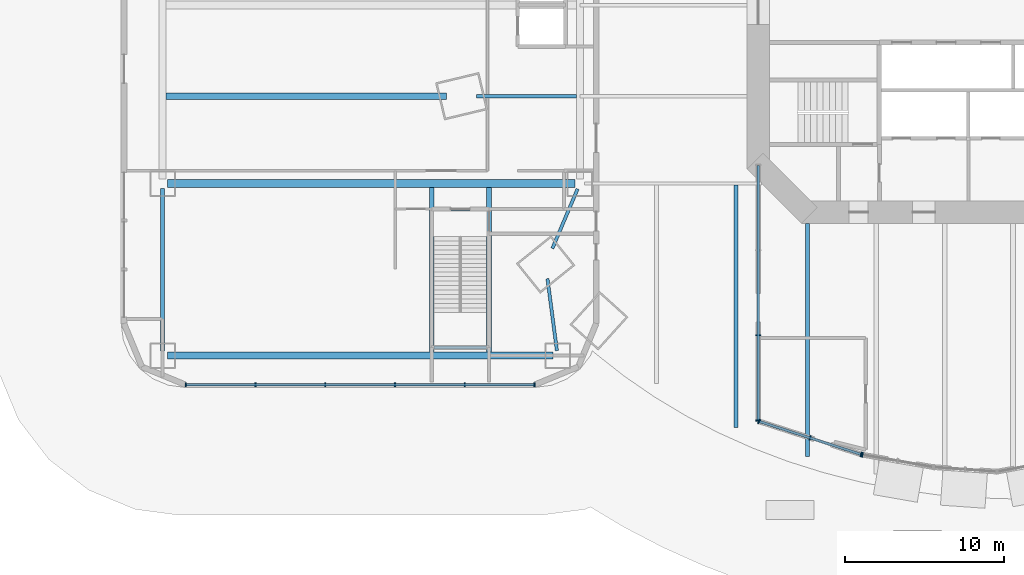
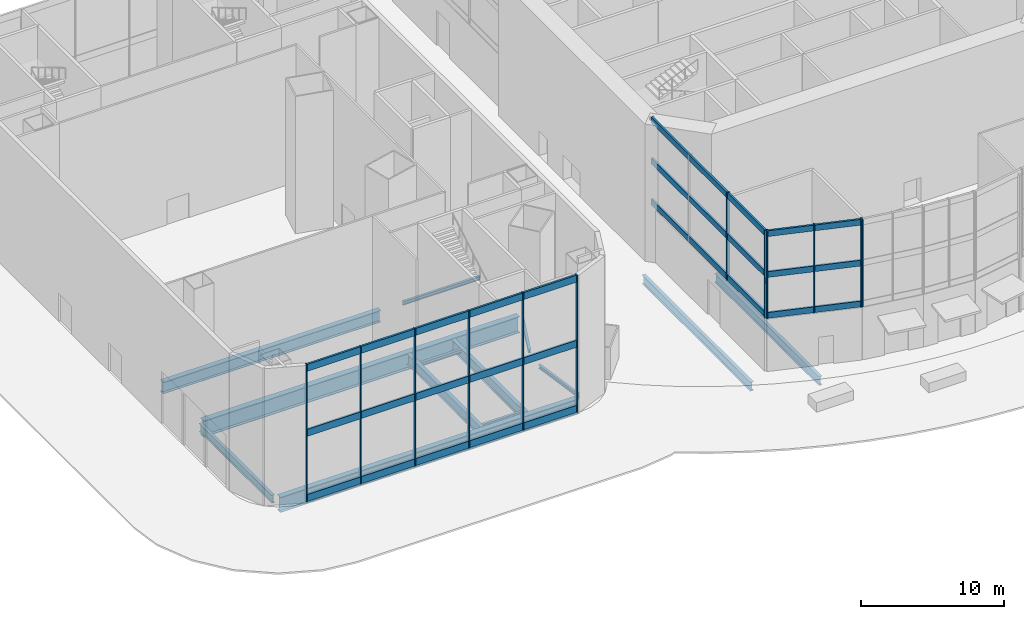
# One storey, part 2 of 23: 21 members, 13 beams, 4 elements without a shape of their own.
"""IFC4 building model written with IfcOpenShell, lengths in metres."""

from ifc_helpers import new_model, si_unit, direction, frame, origin, origin_2d, place, context, subcontext, project, spatial, rectangle, i_section, extrude, material, material_profile, profile_set, type_object, element, aggregate, save


model = new_model("IFC4")

# Units and contexts
model_context = context("Model", 3, precision=1e-05, world=origin(), true_north=direction((0.0, 1.0)))
body_context = subcontext(model_context, "Body", "Model", "MODEL_VIEW")
ifc_project = project(units=[si_unit("LENGTHUNIT", "METRE"), si_unit("AREAUNIT", "SQUARE_METRE"), si_unit("VOLUMEUNIT", "CUBIC_METRE"), si_unit("PLANEANGLEUNIT", "RADIAN"), si_unit("MASSUNIT", "GRAM", prefix="KILO")], contexts=[model_context])

# Site, building, storey
site_placement = place(None, origin())
site = spatial("IfcSite", under=ifc_project, at=site_placement, CompositionType="ELEMENT")
building_placement = place(site_placement, origin())
building = spatial("IfcBuilding", under=site, at=building_placement, Name="Marenthal Gate Tower", CompositionType="ELEMENT")
storey_placement = place(building_placement, origin())
storey = spatial("IfcBuildingStorey", under=building, at=storey_placement, Name="L00", CompositionType="ELEMENT", Elevation=0.0)

# Curtain wall, members
ifc_material_1 = material(Name="Aluminium and glass", Category="aluminium")
curtain_wall_type_1 = type_object("IfcCurtainWallType", Name="Curtain wall podium impact", PredefinedType="NOTDEFINED", material=ifc_material_1)
curtain_wall_1_placement = place(storey_placement, origin())
curtain_wall_1 = element("IfcCurtainWall", 1, at=curtain_wall_1_placement, inside=storey, type_object=curtain_wall_type_1, Name="Curtain wall L00 W12", PredefinedType="NOTDEFINED")
ifc_material_2 = material(Name="Aluminium", Category="aluminium")
ifc_material_profile_1 = material_profile(ifc_material_2, rectangle(XDim=0.25, YDim=0.080078125, at=origin_2d()), Name="80x250 aluminium mullion")
ifc_profile_set_1 = profile_set([ifc_material_profile_1], Name="Aluminium")
member_type_1 = type_object("IfcMemberType", Name="Mullion 80x250 podium impact", PredefinedType="MULLION", material=ifc_profile_set_1)
member_1_placement = place(storey_placement, frame((-51.948486328125, -23.824951171875, 0.0), z_axis=(0.0, 0.0, 1.0), x_axis=(0.0, 1.0, 0.0)))
member_1 = element("IfcMember", 2, at=member_1_placement, type_object=member_type_1, Name="Mullion L00 W12.1", PredefinedType="MULLION", context=body_context, shape_type="SweptSolid", body=[
    extrude(rectangle(XDim=0.25, YDim=0.080078125, at=origin_2d()), origin(), (0.0, 0.0, 1.0), 11.75),
])
member_2_placement = place(storey_placement, frame((-47.569091796875, -23.824951171875, 0.0), z_axis=(0.0, 0.0, 1.0), x_axis=(0.0, 1.0, 0.0)))
member_2 = element("IfcMember", 3, at=member_2_placement, type_object=member_type_1, Name="Mullion L00 W12.2", PredefinedType="MULLION", context=body_context, shape_type="SweptSolid", body=[
    extrude(rectangle(XDim=0.25, YDim=0.080078125, at=origin_2d()), origin(), (0.0, 0.0, 1.0), 11.75),
])
member_3_placement = place(storey_placement, frame((-43.189697265625, -23.824951171875, 0.0), z_axis=(0.0, 0.0, 1.0), x_axis=(0.0, 1.0, 0.0)))
member_3 = element("IfcMember", 4, at=member_3_placement, type_object=member_type_1, Name="Mullion L00 W12.3", PredefinedType="MULLION", context=body_context, shape_type="SweptSolid", body=[
    extrude(rectangle(XDim=0.25, YDim=0.080078125, at=origin_2d()), origin(), (0.0, 0.0, 1.0), 11.75),
])
member_4_placement = place(storey_placement, frame((-38.810302734375, -23.824951171875, 0.0), z_axis=(0.0, 0.0, 1.0), x_axis=(0.0, 1.0, 0.0)))
member_4 = element("IfcMember", 5, at=member_4_placement, type_object=member_type_1, Name="Mullion L00 W12.4", PredefinedType="MULLION", context=body_context, shape_type="SweptSolid", body=[
    extrude(rectangle(XDim=0.25, YDim=0.080078125, at=origin_2d()), origin(), (0.0, 0.0, 1.0), 11.75),
])
member_5_placement = place(storey_placement, frame((-34.430908203125, -23.824951171875, 0.0), z_axis=(0.0, 0.0, 1.0), x_axis=(0.0, 1.0, 0.0)))
member_5 = element("IfcMember", 6, at=member_5_placement, type_object=member_type_1, Name="Mullion L00 W12.5", PredefinedType="MULLION", context=body_context, shape_type="SweptSolid", body=[
    extrude(rectangle(XDim=0.25, YDim=0.080078125, at=origin_2d()), origin(), (0.0, 0.0, 1.0), 11.75),
])
member_6_placement = place(storey_placement, frame((-30.051513671875, -23.824951171875, 0.0), z_axis=(0.0, 0.0, 1.0), x_axis=(0.0, 1.0, 0.0)))
member_6 = element("IfcMember", 7, at=member_6_placement, type_object=member_type_1, Name="Mullion L00 W12.6", PredefinedType="MULLION", context=body_context, shape_type="SweptSolid", body=[
    extrude(rectangle(XDim=0.25, YDim=0.080078125, at=origin_2d()), origin(), (0.0, 0.0, 1.0), 11.75),
])

ifc_material_3 = material(Name="Aluminium and glass", Category="aluminium")
curtain_wall_type_2 = type_object("IfcCurtainWallType", Name="Curtain wall arch infill", PredefinedType="NOTDEFINED", material=ifc_material_3)
curtain_wall_2_placement = place(storey_placement, origin())
curtain_wall_2 = element("IfcCurtainWall", 8, at=curtain_wall_2_placement, inside=storey, type_object=curtain_wall_type_2, Name="Curtain wall L00 arch S1", PredefinedType="NOTDEFINED")
ifc_material_4 = material(Name="Aluminium", Category="aluminium")
ifc_material_profile_2 = material_profile(ifc_material_4, rectangle(XDim=0.300048828125, YDim=0.080078125, at=origin_2d()), Name="80x300 aluminium mullion")
ifc_profile_set_2 = profile_set([ifc_material_profile_2], Name="Aluminium")
member_type_2 = type_object("IfcMemberType", Name="Mullion 80x300 arch infill", PredefinedType="MULLION", material=ifc_profile_set_2)
member_7_placement = place(storey_placement, frame((-15.9619140625, -26.129638671875, 4.5), z_axis=(0.0, 0.0, 1.0), x_axis=(0.307641410292, 0.951502371344, 0.0)))
member_7 = element("IfcMember", 9, at=member_7_placement, type_object=member_type_2, Name="Mullion L00 arch S1.1", PredefinedType="MULLION", context=body_context, shape_type="SweptSolid", body=[
    extrude(rectangle(XDim=0.300048828125, YDim=0.080078125, at=origin_2d()), origin(), (0.0, 0.0, 1.0), 7.5),
])
member_8_placement = place(storey_placement, frame((-12.75, -27.168212890625, 4.5), z_axis=(0.0, 0.0, 1.0), x_axis=(0.307641410292, 0.951502371344, 0.0)))
member_8 = element("IfcMember", 10, at=member_8_placement, type_object=member_type_2, Name="Mullion L00 arch S1.2", PredefinedType="MULLION", context=body_context, shape_type="SweptSolid", body=[
    extrude(rectangle(XDim=0.300048828125, YDim=0.080078125, at=origin_2d()), origin(), (0.0, 0.0, 1.0), 7.5),
])
member_9_placement = place(storey_placement, frame((-9.5380859375, -28.206787109375, 4.5), z_axis=(0.0, 0.0, 1.0), x_axis=(0.307641410292, 0.951502371344, 0.0)))
member_9 = element("IfcMember", 11, at=member_9_placement, type_object=member_type_2, Name="Mullion L00 arch S1.3", PredefinedType="MULLION", context=body_context, shape_type="SweptSolid", body=[
    extrude(rectangle(XDim=0.300048828125, YDim=0.080078125, at=origin_2d()), origin(), (0.0, 0.0, 1.0), 7.5),
])

# Curtain wall, member
curtain_wall_3_placement = place(storey_placement, origin())
curtain_wall_3 = element("IfcCurtainWall", 12, at=curtain_wall_3_placement, inside=storey, type_object=curtain_wall_type_2, Name="Curtain wall L00 arch S2", PredefinedType="NOTDEFINED")
member_10_placement = place(storey_placement, frame((-9.460693359375, -28.225830078125, 4.5), z_axis=(0.0, 0.0, 1.0), x_axis=(0.171972780668, 0.985101701709, 0.0)))
member_10 = element("IfcMember", 13, at=member_10_placement, type_object=member_type_2, Name="Mullion L00 arch S2.1", PredefinedType="MULLION", context=body_context, shape_type="SweptSolid", body=[
    extrude(rectangle(XDim=0.300048828125, YDim=0.080078125, at=origin_2d()), origin(), (0.0, 0.0, 1.0), 7.5),
])
aggregate(curtain_wall_3, [member_10])

# Curtain wall, members
curtain_wall_4_placement = place(storey_placement, origin())
curtain_wall_4 = element("IfcCurtainWall", 14, at=curtain_wall_4_placement, inside=storey, type_object=curtain_wall_type_2, Name="Curtain wall L00 hall SW1", PredefinedType="NOTDEFINED")
member_11_placement = place(storey_placement, frame((-16.0, -20.731689453125, 4.5), z_axis=(0.0, 0.0, 1.0), x_axis=(1.0, 0.0, 0.0)))
member_11 = element("IfcMember", 15, at=member_11_placement, type_object=member_type_2, Name="Mullion L00 hall SW1.3", PredefinedType="MULLION", context=body_context, shape_type="SweptSolid", body=[
    extrude(rectangle(XDim=0.300048828125, YDim=0.080078125, at=origin_2d()), origin(), (0.0, 0.0, 1.0), 7.5),
])
member_12_placement = place(storey_placement, frame((-16.0, -26.077392578125, 4.5), z_axis=(0.0, 0.0, 1.0), x_axis=(1.0, 0.0, 0.0)))
member_12 = element("IfcMember", 16, at=member_12_placement, type_object=member_type_2, Name="Mullion L00 hall SW1.4", PredefinedType="MULLION", context=body_context, shape_type="SweptSolid", body=[
    extrude(rectangle(XDim=0.300048828125, YDim=0.080078125, at=origin_2d()), origin(), (0.0, 0.0, 1.0), 7.5),
])

# Beams
ifc_material_5 = material(Name="Steel S355", Category="steel")
ifc_material_profile_3 = material_profile(ifc_material_5, i_section(OverallWidth=0.419921875, OverallDepth=1.0, WebThickness=0.02001953125, FlangeThickness=0.035888671875, at=origin_2d()), Name="PLATE GIRDER 1000X420X20X36")
ifc_profile_set_3 = profile_set([ifc_material_profile_3], Name="Steel S355")
beam_type_1 = type_object("IfcBeamType", Name="PLATE GIRDER 1000X420X20X36 beam", PredefinedType="BEAM", material=ifc_profile_set_3)
beam_1_placement = place(storey_placement, frame((-35.561279296875, -5.716064453125, -0.75), z_axis=(-1.0, 0.0, 0.0), x_axis=(0.0, -1.0, 0.0)))
element("IfcBeam", 17, at=beam_1_placement, inside=storey, type_object=beam_type_1, Name="BM-L00-125", PredefinedType="BEAM", context=body_context, shape_type="SweptSolid", body=[
    extrude(i_section(OverallWidth=0.419921875, OverallDepth=1.0, WebThickness=0.02001953125, FlangeThickness=0.035888671875, at=origin_2d()), origin(), (0.0, 0.0, 1.0), 17.61376953125),
])
ifc_material_6 = material(Name="Steel S355", Category="steel")
ifc_material_profile_4 = material_profile(ifc_material_6, i_section(OverallWidth=0.4599609375, OverallDepth=1.300048828125, WebThickness=0.02490234375, FlangeThickness=0.044921875, at=origin_2d()), Name="PLATE GIRDER 1300X460X25X45")
ifc_profile_set_4 = profile_set([ifc_material_profile_4], Name="Steel S355")
beam_type_2 = type_object("IfcBeamType", Name="PLATE GIRDER 1300X460X25X45 beam", PredefinedType="BEAM", material=ifc_profile_set_4)
beam_2_placement = place(storey_placement, frame((-28.89990234375, -22.0, -0.89990234375), z_axis=(-1.0, 0.0, 0.0), x_axis=(0.0, -1.0, 0.0)))
element("IfcBeam", 18, at=beam_2_placement, inside=storey, type_object=beam_type_2, Name="BM-L00-122", PredefinedType="BEAM", context=body_context, shape_type="SweptSolid", body=[
    extrude(i_section(OverallWidth=0.4599609375, OverallDepth=1.300048828125, WebThickness=0.02490234375, FlangeThickness=0.044921875, at=origin_2d()), origin(), (0.0, 0.0, 1.0), 24.2001953125),
])
ifc_material_7 = material(Name="Steel S355", Category="steel")
ifc_material_profile_5 = material_profile(ifc_material_7, i_section(OverallWidth=0.47998046875, OverallDepth=1.39990234375, WebThickness=0.02490234375, FlangeThickness=0.044921875, at=origin_2d()), Name="PLATE GIRDER 1400X480X25X45")
ifc_profile_set_5 = profile_set([ifc_material_profile_5], Name="Steel S355")
beam_type_3 = type_object("IfcBeamType", Name="PLATE GIRDER 1400X480X25X45 beam", PredefinedType="BEAM", material=ifc_profile_set_5)
beam_3_placement = place(storey_placement, frame((-27.5, -11.199951171875, -0.949951171875), z_axis=(-1.0, 0.0, 0.0), x_axis=(0.0, -1.0, 0.0)))
element("IfcBeam", 19, at=beam_3_placement, inside=storey, type_object=beam_type_3, Name="BM-L00-123", PredefinedType="BEAM", context=body_context, shape_type="SweptSolid", body=[
    extrude(i_section(OverallWidth=0.47998046875, OverallDepth=1.39990234375, WebThickness=0.02490234375, FlangeThickness=0.044921875, at=origin_2d()), origin(), (0.0, 0.0, 1.0), 25.60009765625),
])

# Member
ifc_material_8 = material(Name="Aluminium", Category="aluminium")
ifc_material_profile_6 = material_profile(ifc_material_8, rectangle(XDim=0.159912109375, YDim=0.5, at=origin_2d()), Name="160x500 aluminium transom")
ifc_profile_set_6 = profile_set([ifc_material_profile_6], Name="Aluminium")
member_type_3 = type_object("IfcMemberType", Name="Transom 160x500 arch infill", PredefinedType="USERDEFINED", material=ifc_profile_set_6)
member_13_placement = place(storey_placement, frame((-15.923828125, -26.14208984375, 4.75), z_axis=(0.951506286254, -0.307629301625, 0.0), x_axis=(0.307629301625, 0.951506286254, 0.0)))
member_13 = element("IfcMember", 20, at=member_13_placement, type_object=member_type_3, Name="Transom L00 arch S1.1", ObjectType="TRANSOM", PredefinedType="USERDEFINED", context=body_context, shape_type="SweptSolid", body=[
    extrude(rectangle(XDim=0.159912109375, YDim=0.5, at=origin_2d()), origin(), (0.0, 0.0, 1.0), 6.671142578125),
])

member_14_placement = place(storey_placement, frame((-15.923828125, -26.14208984375, 8.25), z_axis=(0.951506286254, -0.307629301625, 0.0), x_axis=(0.307629301625, 0.951506286254, 0.0)))
member_14 = element("IfcMember", 21, at=member_14_placement, type_object=member_type_3, Name="Transom L00 arch S1.2", ObjectType="TRANSOM", PredefinedType="USERDEFINED", context=body_context, shape_type="SweptSolid", body=[
    extrude(rectangle(XDim=0.159912109375, YDim=0.5, at=origin_2d()), origin(), (0.0, 0.0, 1.0), 6.671142578125),
])

member_15_placement = place(storey_placement, frame((-15.923828125, -26.14208984375, 11.75), z_axis=(0.951506286254, -0.307629301625, 0.0), x_axis=(0.307629301625, 0.951506286254, 0.0)))
member_15 = element("IfcMember", 22, at=member_15_placement, type_object=member_type_3, Name="Transom L00 arch S1.3", ObjectType="TRANSOM", PredefinedType="USERDEFINED", context=body_context, shape_type="SweptSolid", body=[
    extrude(rectangle(XDim=0.159912109375, YDim=0.5, at=origin_2d()), origin(), (0.0, 0.0, 1.0), 6.671142578125),
])

aggregate(curtain_wall_2, [member_7, member_8, member_9, member_13, member_14, member_15])

member_16_placement = place(storey_placement, frame((-16.0, -10.080078125, 4.75), z_axis=(0.0, -1.0, 0.0), x_axis=(1.0, 0.0, 0.0)))
member_16 = element("IfcMember", 23, at=member_16_placement, type_object=member_type_3, Name="Transom L00 hall SW1.1", ObjectType="TRANSOM", PredefinedType="USERDEFINED", context=body_context, shape_type="SweptSolid", body=[
    extrude(rectangle(XDim=0.159912109375, YDim=0.5, at=origin_2d()), origin(), (0.0, 0.0, 1.0), 15.957275390625),
])

member_17_placement = place(storey_placement, frame((-16.0, -10.080078125, 8.25), z_axis=(0.0, -1.0, 0.0), x_axis=(1.0, 0.0, 0.0)))
member_17 = element("IfcMember", 24, at=member_17_placement, type_object=member_type_3, Name="Transom L00 hall SW1.2", ObjectType="TRANSOM", PredefinedType="USERDEFINED", context=body_context, shape_type="SweptSolid", body=[
    extrude(rectangle(XDim=0.159912109375, YDim=0.5, at=origin_2d()), origin(), (0.0, 0.0, 1.0), 15.957275390625),
])

member_18_placement = place(storey_placement, frame((-16.0, -10.080078125, 11.75), z_axis=(0.0, -1.0, 0.0), x_axis=(1.0, 0.0, 0.0)))
member_18 = element("IfcMember", 25, at=member_18_placement, type_object=member_type_3, Name="Transom L00 hall SW1.3", ObjectType="TRANSOM", PredefinedType="USERDEFINED", context=body_context, shape_type="SweptSolid", body=[
    extrude(rectangle(XDim=0.159912109375, YDim=0.5, at=origin_2d()), origin(), (0.0, 0.0, 1.0), 15.957275390625),
])

aggregate(curtain_wall_4, [member_11, member_12, member_16, member_17, member_18])

ifc_material_9 = material(Name="Aluminium", Category="aluminium")
ifc_material_profile_7 = material_profile(ifc_material_9, rectangle(XDim=0.159912109375, YDim=0.60009765625, at=origin_2d()), Name="160x600 aluminium transom")
ifc_profile_set_7 = profile_set([ifc_material_profile_7], Name="Aluminium")
member_type_4 = type_object("IfcMemberType", Name="Transom 160x600 podium impact", PredefinedType="USERDEFINED", material=ifc_profile_set_7)
member_19_placement = place(storey_placement, frame((-51.908447265625, -23.824951171875, 0.300048828125), z_axis=(1.0, 0.0, 0.0), x_axis=(0.0, 1.0, 0.0)))
member_19 = element("IfcMember", 26, at=member_19_placement, type_object=member_type_4, Name="Transom L00 W12.1", ObjectType="TRANSOM", PredefinedType="USERDEFINED", context=body_context, shape_type="SweptSolid", body=[
    extrude(rectangle(XDim=0.159912109375, YDim=0.60009765625, at=origin_2d()), origin(), (0.0, 0.0, 1.0), 21.81689453125),
])

member_20_placement = place(storey_placement, frame((-51.908447265625, -23.824951171875, 5.875), z_axis=(1.0, 0.0, 0.0), x_axis=(0.0, 1.0, 0.0)))
member_20 = element("IfcMember", 27, at=member_20_placement, type_object=member_type_4, Name="Transom L00 W12.2", ObjectType="TRANSOM", PredefinedType="USERDEFINED", context=body_context, shape_type="SweptSolid", body=[
    extrude(rectangle(XDim=0.159912109375, YDim=0.60009765625, at=origin_2d()), origin(), (0.0, 0.0, 1.0), 21.81689453125),
])

member_21_placement = place(storey_placement, frame((-51.908447265625, -23.824951171875, 11.449951171875), z_axis=(1.0, 0.0, 0.0), x_axis=(0.0, 1.0, 0.0)))
member_21 = element("IfcMember", 28, at=member_21_placement, type_object=member_type_4, Name="Transom L00 W12.3", ObjectType="TRANSOM", PredefinedType="USERDEFINED", context=body_context, shape_type="SweptSolid", body=[
    extrude(rectangle(XDim=0.159912109375, YDim=0.60009765625, at=origin_2d()), origin(), (0.0, 0.0, 1.0), 21.81689453125),
])

aggregate(curtain_wall_1, [member_1, member_2, member_3, member_4, member_5, member_6, member_19, member_20, member_21])

# Beams
ifc_material_10 = material(Name="Steel S355", Category="steel")
ifc_material_profile_8 = material_profile(ifc_material_10, i_section(OverallWidth=0.202880859375, OverallDepth=0.302001953125, WebThickness=0.007568359375, FlangeThickness=0.01318359375, FilletRadius=0.0126953125, at=origin_2d()), Name="W310X60")
ifc_profile_set_8 = profile_set([ifc_material_profile_8], Name="Steel S355")
beam_type_4 = type_object("IfcBeamType", Name="W310X60 beam", PredefinedType="BEAM", material=ifc_profile_set_8)
beam_4_placement = place(storey_placement, frame((-27.425048828125, -5.716064453125, -0.40087890625), z_axis=(-1.0, 0.0, 0.0), x_axis=(0.0, -1.0, 0.0)))
element("IfcBeam", 29, at=beam_4_placement, inside=storey, type_object=beam_type_4, Name="BM-L00-124", PredefinedType="BEAM", context=body_context, shape_type="SweptSolid", body=[
    extrude(i_section(OverallWidth=0.202880859375, OverallDepth=0.302001953125, WebThickness=0.007568359375, FlangeThickness=0.01318359375, FilletRadius=0.0126953125, at=origin_2d()), origin(), (0.0, 0.0, 1.0), 6.2568359375),
])
beam_5_placement = place(storey_placement, frame((-27.34375, -11.53955078125, -0.40087890625), z_axis=(-0.390030578719, -0.920801904681, 0.0), x_axis=(0.920801904681, -0.390030578719, 0.0)))
element("IfcBeam", 30, at=beam_5_placement, inside=storey, type_object=beam_type_4, Name="BM-L00-133", PredefinedType="BEAM", context=body_context, shape_type="SweptSolid", body=[
    extrude(i_section(OverallWidth=0.202880859375, OverallDepth=0.302001953125, WebThickness=0.007568359375, FlangeThickness=0.01318359375, FilletRadius=0.0126953125, at=origin_2d()), origin(), (0.0, 0.0, 1.0), 4.057373046875),
])
beam_6_placement = place(storey_placement, frame((-29.233154296875, -17.17578125, -0.40087890625), z_axis=(0.130135880417, -0.991496168741, 0.0), x_axis=(0.991496168741, 0.130135880417, 0.0)))
element("IfcBeam", 31, at=beam_6_placement, inside=storey, type_object=beam_type_4, Name="BM-L00-134", PredefinedType="BEAM", context=body_context, shape_type="SweptSolid", body=[
    extrude(i_section(OverallWidth=0.202880859375, OverallDepth=0.302001953125, WebThickness=0.007568359375, FlangeThickness=0.01318359375, FilletRadius=0.0126953125, at=origin_2d()), origin(), (0.0, 0.0, 1.0), 4.558837890625),
])
for number, where, z_axis, x_axis, name in (
    (32, (-36.344970703125, -12.804931640625, -0.40087890625), (1.0, 0.0, 0.0), (0.0, 1.0, 0.0), "BM-L00-185"),
    (33, (-36.344970703125, -21.4951171875, -0.40087890625), (1.0, 0.0, 0.0), (0.0, 1.0, 0.0), "BM-L00-186"),
):
    element("IfcBeam", number, at=place(storey_placement, frame(where, z_axis=z_axis, x_axis=x_axis)), inside=storey, type_object=beam_type_4, Name=name, PredefinedType="BEAM", context=body_context, shape_type="SweptSolid", body=[
        extrude(i_section(OverallWidth=0.202880859375, OverallDepth=0.302001953125, WebThickness=0.007568359375, FlangeThickness=0.01318359375, FilletRadius=0.0126953125, at=origin_2d()), origin(), (0.0, 0.0, 1.0), 3.2900390625),
    ])
ifc_material_11 = material(Name="Steel S355", Category="steel")
ifc_material_profile_9 = material_profile(ifc_material_11, i_section(OverallWidth=0.25390625, OverallDepth=0.68310546875, WebThickness=0.012451171875, FlangeThickness=0.018798828125, FilletRadius=0.01513671875, at=origin_2d()), Name="W690X140")
ifc_profile_set_9 = profile_set([ifc_material_profile_9], Name="Steel S355")
beam_type_5 = type_object("IfcBeamType", Name="W690X140 beam", PredefinedType="BEAM", material=ifc_profile_set_9)
beam_7_placement = place(storey_placement, frame((-53.39990234375, -21.699951171875, -0.591552734375), z_axis=(0.0, 1.0, 0.0), x_axis=(-1.0, 0.0, 0.0)))
element("IfcBeam", 34, at=beam_7_placement, inside=storey, type_object=beam_type_5, Name="BM-L00-118", PredefinedType="BEAM", context=body_context, shape_type="SweptSolid", body=[
    extrude(i_section(OverallWidth=0.25390625, OverallDepth=0.68310546875, WebThickness=0.012451171875, FlangeThickness=0.018798828125, FilletRadius=0.01513671875, at=origin_2d()), origin(), (0.0, 0.0, 1.0), 10.199951171875),
])
ifc_material_12 = material(Name="Steel S355", Category="steel")
ifc_material_profile_10 = material_profile(ifc_material_12, i_section(OverallWidth=0.26708984375, OverallDepth=0.75390625, WebThickness=0.01318359375, FlangeThickness=0.01708984375, FilletRadius=0.0166015625, at=origin_2d()), Name="W760X147")
ifc_profile_set_10 = profile_set([ifc_material_profile_10], Name="Steel S355")
beam_type_6 = type_object("IfcBeamType", Name="W760X147 beam", PredefinedType="BEAM", material=ifc_profile_set_10)
beam_8_placement = place(storey_placement, frame((-12.89990234375, -13.699951171875, -0.626953125), z_axis=(0.0, -1.0, 0.0), x_axis=(1.0, 0.0, 0.0)))
element("IfcBeam", 35, at=beam_8_placement, inside=storey, type_object=beam_type_6, Name="BM-L00-146", PredefinedType="BEAM", context=body_context, shape_type="SweptSolid", body=[
    extrude(i_section(OverallWidth=0.26708984375, OverallDepth=0.75390625, WebThickness=0.01318359375, FlangeThickness=0.01708984375, FilletRadius=0.0166015625, at=origin_2d()), origin(), (0.0, 0.0, 1.0), 14.642333984375),
])
ifc_material_13 = material(Name="Steel S355", Category="steel")
ifc_material_profile_11 = material_profile(ifc_material_13, i_section(OverallWidth=0.26708984375, OverallDepth=0.761962890625, WebThickness=0.014404296875, FlangeThickness=0.021484375, FilletRadius=0.0166015625, at=origin_2d()), Name="W760X173")
ifc_profile_set_11 = profile_set([ifc_material_profile_11], Name="Steel S355")
beam_type_7 = type_object("IfcBeamType", Name="W760X173 beam", PredefinedType="BEAM", material=ifc_profile_set_11)
beam_9_placement = place(storey_placement, frame((-17.39990234375, -11.304931640625, -0.631103515625), z_axis=(0.0, -1.0, 0.0), x_axis=(1.0, 0.0, 0.0)))
element("IfcBeam", 36, at=beam_9_placement, inside=storey, type_object=beam_type_7, Name="BM-L00-164", PredefinedType="BEAM", context=body_context, shape_type="SweptSolid", body=[
    extrude(i_section(OverallWidth=0.26708984375, OverallDepth=0.761962890625, WebThickness=0.014404296875, FlangeThickness=0.021484375, FilletRadius=0.0166015625, at=origin_2d()), origin(), (0.0, 0.0, 1.0), 15.227783203125),
])
ifc_material_14 = material(Name="Steel S355", Category="steel")
ifc_material_profile_12 = material_profile(ifc_material_14, i_section(OverallWidth=0.304931640625, OverallDepth=0.904052734375, WebThickness=0.01513671875, FlangeThickness=0.02001953125, FilletRadius=0.01904296875, at=origin_2d()), Name="W920X201")
ifc_profile_set_12 = profile_set([ifc_material_profile_12], Name="Steel S355")
beam_type_8 = type_object("IfcBeamType", Name="W920X201 beam", PredefinedType="BEAM", material=ifc_profile_set_12)
for number, where, z_axis, x_axis, name in (
    (37, (-36.49755859375, -11.43994140625, -0.701904296875), (0.0, -1.0, 0.0), (1.0, 0.0, 0.0), "BM-L00-183"),
    (38, (-32.902587890625, -11.43994140625, -0.701904296875), (0.0, -1.0, 0.0), (1.0, 0.0, 0.0), "BM-L00-184"),
):
    element("IfcBeam", number, at=place(storey_placement, frame(where, z_axis=z_axis, x_axis=x_axis)), inside=storey, type_object=beam_type_8, Name=name, PredefinedType="BEAM", context=body_context, shape_type="SweptSolid", body=[
        extrude(i_section(OverallWidth=0.304931640625, OverallDepth=0.904052734375, WebThickness=0.01513671875, FlangeThickness=0.02001953125, FilletRadius=0.01904296875, at=origin_2d()), origin(), (0.0, 0.0, 1.0), 10.330078125),
    ])

save(model, "model.ifc")
